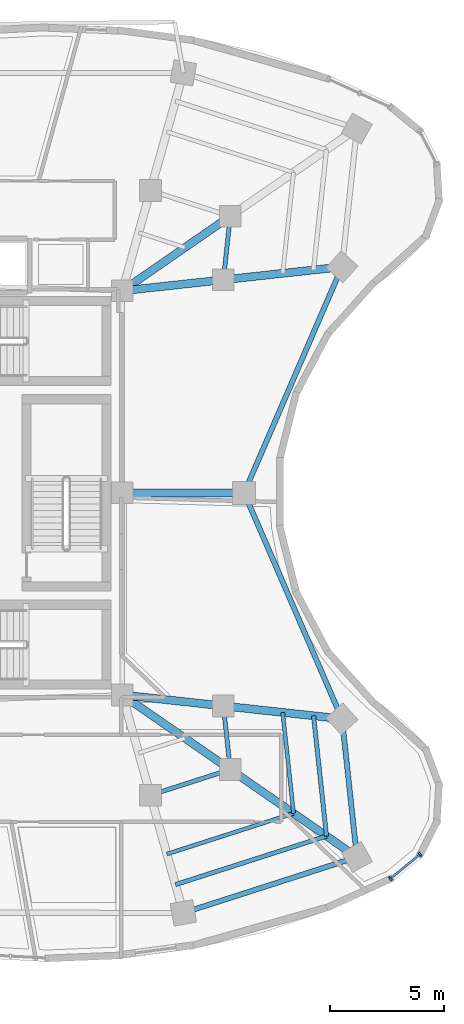
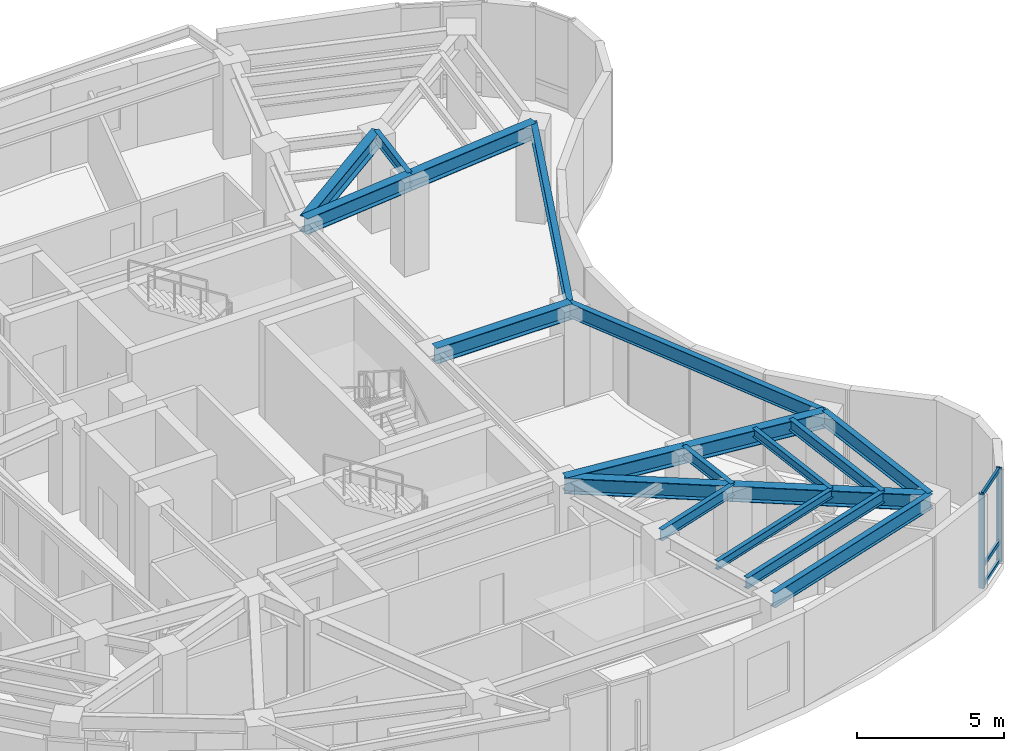
# One storey, part 4 of 13: 19 beams, 5 members, 1 element without a shape of its own.
"""IFC4 building model written with IfcOpenShell, lengths in metres."""

from ifc_helpers import new_model, si_unit, direction, frame, origin, origin_2d, place, context, subcontext, project, spatial, rectangle, i_section, extrude, material, layer, layer_set, material_profile, profile_set, type_object, element, aggregate, save


model = new_model("IFC4")

# Units and contexts
model_context = context("Model", 3, precision=1e-05, world=origin(), true_north=direction((0.0, 1.0)))
body_context = subcontext(model_context, "Body", "Model", "MODEL_VIEW")
ifc_project = project(units=[si_unit("LENGTHUNIT", "METRE"), si_unit("AREAUNIT", "SQUARE_METRE"), si_unit("VOLUMEUNIT", "CUBIC_METRE"), si_unit("PLANEANGLEUNIT", "RADIAN"), si_unit("MASSUNIT", "GRAM", prefix="KILO")], contexts=[model_context])

# Site, building, storey
site_placement = place(None, origin())
site = spatial("IfcSite", under=ifc_project, at=site_placement, CompositionType="ELEMENT")
building_placement = place(site_placement, origin())
building = spatial("IfcBuilding", under=site, at=building_placement, Name="Korentha Bioscience Tower", CompositionType="ELEMENT")
storey_placement = place(building_placement, frame((0.0, 0.0, 158.39990234375)))
storey = spatial("IfcBuildingStorey", under=building, at=storey_placement, Name="L36", CompositionType="ELEMENT", Elevation=158.39990234375)

# Beams
ifc_material_1 = material(Name="Steel S355", Category="steel")
ifc_material_profile_1 = material_profile(ifc_material_1, i_section(OverallWidth=0.18994140625, OverallDepth=0.45703125, WebThickness=0.009033203125, FlangeThickness=0.014404296875, at=origin_2d()), Name="Steel S355")
ifc_profile_set_1 = profile_set([ifc_material_profile_1], Name="Steel S355 (MB-460)")
beam_type_1 = type_object("IfcBeamType", Name="Mid-Ring Tie Girder W460x74", PredefinedType="BEAM", material=ifc_profile_set_1)
beam_1_placement = place(storey_placement, frame((38.77880859375, 13.7587890625, 3.671630859375), z_axis=(0.952000195343, 0.306097415976, 0.0), x_axis=(-0.306097415976, 0.952000195343, 0.0)))
element("IfcBeam", 1, at=beam_1_placement, inside=storey, type_object=beam_type_1, Name="L36 Mid-Ring Tie Girder 12", PredefinedType="BEAM", context=body_context, shape_type="SweptSolid", body=[
    extrude(i_section(OverallWidth=0.18994140625, OverallDepth=0.45703125, WebThickness=0.009033203125, FlangeThickness=0.014404296875, at=origin_2d()), origin(), (0.0, 0.0, 1.0), 3.672119140625),
])
for number, where, z_axis, x_axis, name in (
    (2, (42.274658203125, 14.8828125, 3.671630859375), (-0.107283940056, 0.99422842255, 0.0), (-0.99422842255, -0.107283940056, 0.0), "L36 Mid-Ring Tie Girder 13"),
    (3, (41.97412109375, 36.33203125, 3.671630859375), (0.107283940056, 0.99422842255, 0.0), (-0.99422842255, 0.107283940056, 0.0), "L36 Mid-Ring Tie Girder 16"),
):
    element("IfcBeam", number, at=place(storey_placement, frame(where, z_axis=z_axis, x_axis=x_axis)), inside=storey, type_object=beam_type_1, Name=name, PredefinedType="BEAM", context=body_context, shape_type="SweptSolid", body=[
        extrude(i_section(OverallWidth=0.18994140625, OverallDepth=0.45703125, WebThickness=0.009033203125, FlangeThickness=0.014404296875, at=origin_2d()), origin(), (0.0, 0.0, 1.0), 2.80126953125),
    ])

# Curtain wall, members
ifc_material_2 = material(Name="Thermally Broken Aluminium Frame", Category="aluminium")
ifc_layer = layer(ifc_material_2, 0.219970703125, Name="Thermally Broken Aluminium Frame")
ifc_layer_set = layer_set([ifc_layer], Name="Thermally Broken Aluminium Frame (CW-T1)")
curtain_wall_type = type_object("IfcCurtainWallType", Name="Standard Bioscience Lab Unitised Curtain Wall CW-T1", PredefinedType="USERDEFINED", material=ifc_layer_set)
curtain_wall_placement = place(storey_placement, origin())
curtain_wall = element("IfcCurtainWall", 4, at=curtain_wall_placement, inside=storey, type_object=curtain_wall_type, Name="L36 Curtain Wall 37", ObjectType="UNITISED", PredefinedType="USERDEFINED")
ifc_material_3 = material(Name="Anodised Aluminium 6063-T6", Category="aluminium")
ifc_material_profile_2 = material_profile(ifc_material_3, rectangle(XDim=0.090087890625, YDim=0.199951171875, at=origin_2d()), Name="Anodised Aluminium 6063-T6")
ifc_profile_set_2 = profile_set([ifc_material_profile_2], Name="Anodised Aluminium 6063-T6 (CW-MUL)")
member_type_1 = type_object("IfcMemberType", Name="Mullion RECT 90x200", PredefinedType="MULLION", material=ifc_profile_set_2)
member_1_placement = place(storey_placement, frame((49.28759765625, 10.105224609375, 0.0), z_axis=(0.0, 0.0, 1.0), x_axis=(0.77425646139, 0.632871971251, 0.0)))
member_1 = element("IfcMember", 5, at=member_1_placement, type_object=member_type_1, Name="CW-L36-37 Mullion 1", PredefinedType="MULLION", context=body_context, shape_type="SweptSolid", body=[
    extrude(rectangle(XDim=0.090087890625, YDim=0.199951171875, at=origin_2d()), origin(), (0.0, 0.0, 1.0), 3.900146484375),
])
member_2_placement = place(storey_placement, frame((50.58984375, 11.169677734375, 0.0), z_axis=(0.0, 0.0, 1.0), x_axis=(0.77425646139, 0.632871971251, 0.0)))
member_2 = element("IfcMember", 6, at=member_2_placement, type_object=member_type_1, Name="CW-L36-37 Mullion 2", PredefinedType="MULLION", context=body_context, shape_type="SweptSolid", body=[
    extrude(rectangle(XDim=0.090087890625, YDim=0.199951171875, at=origin_2d()), origin(), (0.0, 0.0, 1.0), 3.900146484375),
])

# Beams
ifc_material_profile_3 = material_profile(ifc_material_1, i_section(OverallWidth=0.22802734375, OverallDepth=0.60791015625, WebThickness=0.01123046875, FlangeThickness=0.017333984375, at=origin_2d()), Name="Steel S355")
ifc_profile_set_3 = profile_set([ifc_material_profile_3], Name="Steel S355 (SB-610)")
beam_type_2 = type_object("IfcBeamType", Name="Perimeter Ring Spandrel Girder W610x113", PredefinedType="SPANDREL", material=ifc_profile_set_3)
beam_2_placement = place(storey_placement, frame((40.22119140625, 8.60400390625, 3.59619140625), z_axis=(0.952008512555, 0.306071547228, 0.0), x_axis=(-0.306071547228, 0.952008512555, 0.0)))
element("IfcBeam", 7, at=beam_2_placement, inside=storey, type_object=beam_type_2, Name="L36 Perimeter Spandrel Girder 12", PredefinedType="SPANDREL", context=body_context, shape_type="SweptSolid", body=[
    extrude(i_section(OverallWidth=0.22802734375, OverallDepth=0.60791015625, WebThickness=0.01123046875, FlangeThickness=0.017333984375, at=origin_2d()), origin(), (0.0, 0.0, 1.0), 7.98291015625),
])
beam_3_placement = place(storey_placement, frame((47.821044921875, 11.04736328125, 3.59619140625), z_axis=(-0.10732012232, 0.994224517574, 0.0), x_axis=(-0.994224517574, -0.10732012232, 0.0)))
element("IfcBeam", 8, at=beam_3_placement, inside=storey, type_object=beam_type_2, Name="L36 Perimeter Spandrel Girder 13", PredefinedType="SPANDREL", context=body_context, shape_type="SweptSolid", body=[
    extrude(i_section(OverallWidth=0.22802734375, OverallDepth=0.60791015625, WebThickness=0.01123046875, FlangeThickness=0.017333984375, at=origin_2d()), origin(), (0.0, 0.0, 1.0), 6.08984375),
])
for number, where, z_axis, x_axis, name in (
    (9, (47.16748046875, 17.10205078125, 3.59619140625), (-0.397336815315, 0.917672847585, 0.0), (-0.917672847585, -0.397336815315, 0.0), "L36 Perimeter Spandrel Girder 14"),
    (10, (42.8818359375, 27.0, 3.59619140625), (0.397336815315, 0.917672847585, 0.0), (-0.917672847585, 0.397336815315, 0.0), "L36 Perimeter Spandrel Girder 15"),
):
    element("IfcBeam", number, at=place(storey_placement, frame(where, z_axis=z_axis, x_axis=x_axis)), inside=storey, type_object=beam_type_2, Name=name, PredefinedType="SPANDREL", context=body_context, shape_type="SweptSolid", body=[
        extrude(i_section(OverallWidth=0.22802734375, OverallDepth=0.60791015625, WebThickness=0.01123046875, FlangeThickness=0.017333984375, at=origin_2d()), origin(), (0.0, 0.0, 1.0), 10.785888671875),
    ])
ifc_material_profile_4 = material_profile(ifc_material_1, i_section(OverallWidth=0.18994140625, OverallDepth=0.45703125, WebThickness=0.009033203125, FlangeThickness=0.014404296875, at=origin_2d()), Name="Steel S355")
ifc_profile_set_4 = profile_set([ifc_material_profile_4], Name="Steel S355 (RB-460)")
beam_type_3 = type_object("IfcBeamType", Name="Radial Laboratory Beam W460x74", PredefinedType="BEAM", material=ifc_profile_set_4)
beam_4_placement = place(storey_placement, frame((39.875, 9.84130859375, 3.671630859375), z_axis=(0.952009183817, 0.306069459318, 0.0), x_axis=(-0.306069459318, 0.952009183817, 0.0)))
element("IfcBeam", 11, at=beam_4_placement, inside=storey, type_object=beam_type_3, Name="L36 Secondary Floor Beam JSTO-12", PredefinedType="BEAM", context=body_context, shape_type="SweptSolid", body=[
    extrude(i_section(OverallWidth=0.18994140625, OverallDepth=0.45703125, WebThickness=0.009033203125, FlangeThickness=0.014404296875, at=origin_2d()), origin(), (0.0, 0.0, 1.0), 6.948486328125),
])
beam_5_placement = place(storey_placement, frame((46.489990234375, 11.968017578125, 3.671630859375), z_axis=(-0.107321875607, 0.994224328316, 0.0), x_axis=(-0.994224328316, -0.107321875607, 0.0)))
element("IfcBeam", 12, at=beam_5_placement, inside=storey, type_object=beam_type_3, Name="L36 Secondary Floor Beam JSTO-13", PredefinedType="BEAM", context=body_context, shape_type="SweptSolid", body=[
    extrude(i_section(OverallWidth=0.18994140625, OverallDepth=0.45703125, WebThickness=0.009033203125, FlangeThickness=0.014404296875, at=origin_2d()), origin(), (0.0, 0.0, 1.0), 5.30029296875),
])
ifc_material_profile_5 = material_profile(ifc_material_1, i_section(OverallWidth=0.35009765625, OverallDepth=0.64990234375, WebThickness=0.01611328125, FlangeThickness=0.02490234375, at=origin_2d()), Name="Steel S355")
ifc_profile_set_5 = profile_set([ifc_material_profile_5], Name="Steel S355 (RB-650)")
beam_type_4 = type_object("IfcBeamType", Name="Radial Laboratory Girder CVS 650x208", PredefinedType="BEAM", material=ifc_profile_set_5)
for number, where, z_axis, x_axis, name in (
    (13, (37.550048828125, 35.85009765625, 3.5751953125), (0.822501145898, 0.568763452584, 0.0), (-0.568763452584, 0.822501145898, 0.0), "L36 Inner Radial Girder 01"),
    (14, (37.550048828125, 18.14990234375, 3.5751953125), (0.822501145898, -0.568763452584, 0.0), (0.568763452584, 0.822501145898, 0.0), "L36 Inner Radial Girder 13"),
):
    element("IfcBeam", number, at=place(storey_placement, frame(where, z_axis=z_axis, x_axis=x_axis)), inside=storey, type_object=beam_type_4, Name=name, PredefinedType="BEAM", context=body_context, shape_type="SweptSolid", body=[
        extrude(i_section(OverallWidth=0.35009765625, OverallDepth=0.64990234375, WebThickness=0.01611328125, FlangeThickness=0.02490234375, at=origin_2d()), origin(), (0.0, 0.0, 1.0), 5.744140625),
    ])
beam_6_placement = place(storey_placement, frame((42.274658203125, 14.8828125, 3.5751953125), z_axis=(0.822494455845, -0.568773127094, 0.0), x_axis=(0.568773127094, 0.822494455845, 0.0)))
element("IfcBeam", 15, at=beam_6_placement, inside=storey, type_object=beam_type_4, Name="L36 Outer Radial Girder 13", PredefinedType="BEAM", context=body_context, shape_type="SweptSolid", body=[
    extrude(i_section(OverallWidth=0.35009765625, OverallDepth=0.64990234375, WebThickness=0.01611328125, FlangeThickness=0.02490234375, at=origin_2d()), origin(), (0.0, 0.0, 1.0), 6.743408203125),
])
beam_7_placement = place(storey_placement, frame((37.550048828125, 18.14990234375, 3.5751953125), z_axis=(0.994118939953, -0.108293735857, 0.0), x_axis=(0.108293735857, 0.994118939953, 0.0)))
element("IfcBeam", 16, at=beam_7_placement, inside=storey, type_object=beam_type_4, Name="L36 Inner Radial Girder 14", PredefinedType="BEAM", context=body_context, shape_type="SweptSolid", body=[
    extrude(i_section(OverallWidth=0.35009765625, OverallDepth=0.64990234375, WebThickness=0.01611328125, FlangeThickness=0.02490234375, at=origin_2d()), origin(), (0.0, 0.0, 1.0), 4.4501953125),
])
beam_8_placement = place(storey_placement, frame((41.97412109375, 17.66796875, 3.5751953125), z_axis=(0.994115177281, -0.108328271011, 0.0), x_axis=(0.108328271011, 0.994115177281, 0.0)))
element("IfcBeam", 17, at=beam_8_placement, inside=storey, type_object=beam_type_4, Name="L36 Outer Radial Girder 14", PredefinedType="BEAM", context=body_context, shape_type="SweptSolid", body=[
    extrude(i_section(OverallWidth=0.35009765625, OverallDepth=0.64990234375, WebThickness=0.01611328125, FlangeThickness=0.02490234375, at=origin_2d()), origin(), (0.0, 0.0, 1.0), 5.22412109375),
])
beam_9_placement = place(storey_placement, frame((37.550048828125, 27.0, 3.5751953125), z_axis=(1.0, 0.0, 0.0), x_axis=(0.0, 1.0, 0.0)))
element("IfcBeam", 18, at=beam_9_placement, inside=storey, type_object=beam_type_4, Name="L36 Radial Girder 15", PredefinedType="BEAM", context=body_context, shape_type="SweptSolid", body=[
    extrude(i_section(OverallWidth=0.35009765625, OverallDepth=0.64990234375, WebThickness=0.01611328125, FlangeThickness=0.02490234375, at=origin_2d()), origin(), (0.0, 0.0, 1.0), 5.331787109375),
])
beam_10_placement = place(storey_placement, frame((37.550048828125, 35.85009765625, 3.5751953125), z_axis=(0.994118939953, 0.108293735857, 0.0), x_axis=(-0.108293735857, 0.994118939953, 0.0)))
element("IfcBeam", 19, at=beam_10_placement, inside=storey, type_object=beam_type_4, Name="L36 Inner Radial Girder 16", PredefinedType="BEAM", context=body_context, shape_type="SweptSolid", body=[
    extrude(i_section(OverallWidth=0.35009765625, OverallDepth=0.64990234375, WebThickness=0.01611328125, FlangeThickness=0.02490234375, at=origin_2d()), origin(), (0.0, 0.0, 1.0), 4.4501953125),
])
beam_11_placement = place(storey_placement, frame((41.97412109375, 36.33203125, 3.5751953125), z_axis=(0.994115177281, 0.108328271011, 0.0), x_axis=(-0.108328271011, 0.994115177281, 0.0)))
element("IfcBeam", 20, at=beam_11_placement, inside=storey, type_object=beam_type_4, Name="L36 Outer Radial Girder 16", PredefinedType="BEAM", context=body_context, shape_type="SweptSolid", body=[
    extrude(i_section(OverallWidth=0.35009765625, OverallDepth=0.64990234375, WebThickness=0.01611328125, FlangeThickness=0.02490234375, at=origin_2d()), origin(), (0.0, 0.0, 1.0), 5.22412109375),
])
ifc_material_profile_6 = material_profile(ifc_material_1, i_section(OverallWidth=0.1708984375, OverallDepth=0.35498046875, WebThickness=0.007080078125, FlangeThickness=0.01171875, at=origin_2d()), Name="Steel S355")
ifc_profile_set_6 = profile_set([ifc_material_profile_6], Name="Steel S355 (JB-360)")
beam_type_5 = type_object("IfcBeamType", Name="Secondary Laboratory Joist W360x51", PredefinedType="JOIST", material=ifc_profile_set_6)
beam_12_placement = place(storey_placement, frame((39.5, 11.181396484375, 3.72265625), z_axis=(0.952005892166, 0.306079697596, 0.0), x_axis=(-0.306079697596, 0.952005892166, 0.0)))
element("IfcBeam", 21, at=beam_12_placement, inside=storey, type_object=beam_type_5, Name="L36 Secondary Floor Beam JST-12", PredefinedType="JOIST", context=body_context, shape_type="SweptSolid", body=[
    extrude(i_section(OverallWidth=0.1708984375, OverallDepth=0.35498046875, WebThickness=0.007080078125, FlangeThickness=0.01171875, at=origin_2d()), origin(), (0.0, 0.0, 1.0), 5.82763671875),
])
beam_13_placement = place(storey_placement, frame((45.0478515625, 12.965087890625, 3.72265625), z_axis=(-0.107308722475, 0.994225748048, 0.0), x_axis=(-0.994225748048, -0.107308722475, 0.0)))
element("IfcBeam", 22, at=beam_13_placement, inside=storey, type_object=beam_type_5, Name="L36 Secondary Floor Beam JST-13", PredefinedType="JOIST", context=body_context, shape_type="SweptSolid", body=[
    extrude(i_section(OverallWidth=0.1708984375, OverallDepth=0.35498046875, WebThickness=0.007080078125, FlangeThickness=0.01171875, at=origin_2d()), origin(), (0.0, 0.0, 1.0), 4.445556640625),
])

# Member
ifc_material_profile_7 = material_profile(ifc_material_3, rectangle(XDim=0.090087890625, YDim=0.159912109375, at=origin_2d()), Name="Anodised Aluminium 6063-T6")
ifc_profile_set_7 = profile_set([ifc_material_profile_7], Name="Anodised Aluminium 6063-T6 (CW-TRN)")
member_type_2 = type_object("IfcMemberType", Name="Transom RECT 90x160", PredefinedType="USERDEFINED", material=ifc_profile_set_7)
member_3_placement = place(storey_placement, frame((49.322509765625, 10.1337890625, 0.045166015625), z_axis=(0.77427156069, 0.632853498297, 0.0), x_axis=(-0.632853498297, 0.77427156069, 0.0)))
member_3 = element("IfcMember", 23, at=member_3_placement, type_object=member_type_2, Name="CW-L36-37 Bay 1 Transom 1", ObjectType="TRANSOM", PredefinedType="USERDEFINED", context=body_context, shape_type="SweptSolid", body=[
    extrude(rectangle(XDim=0.090087890625, YDim=0.159912109375, at=origin_2d()), origin(), (0.0, 0.0, 1.0), 1.591796875),
])

member_4_placement = place(storey_placement, frame((49.322509765625, 10.1337890625, 0.85009765625), z_axis=(0.77427156069, 0.632853498297, 0.0), x_axis=(-0.632853498297, 0.77427156069, 0.0)))
member_4 = element("IfcMember", 24, at=member_4_placement, type_object=member_type_2, Name="CW-L36-37 Bay 1 Transom 2", ObjectType="TRANSOM", PredefinedType="USERDEFINED", context=body_context, shape_type="SweptSolid", body=[
    extrude(rectangle(XDim=0.090087890625, YDim=0.159912109375, at=origin_2d()), origin(), (0.0, 0.0, 1.0), 1.591796875),
])

member_5_placement = place(storey_placement, frame((49.322509765625, 10.1337890625, 3.85498046875), z_axis=(0.77427156069, 0.632853498297, 0.0), x_axis=(-0.632853498297, 0.77427156069, 0.0)))
member_5 = element("IfcMember", 25, at=member_5_placement, type_object=member_type_2, Name="CW-L36-37 Bay 1 Transom 3", ObjectType="TRANSOM", PredefinedType="USERDEFINED", context=body_context, shape_type="SweptSolid", body=[
    extrude(rectangle(XDim=0.090087890625, YDim=0.159912109375, at=origin_2d()), origin(), (0.0, 0.0, 1.0), 1.591796875),
])

aggregate(curtain_wall, [member_1, member_2, member_3, member_4, member_5])

save(model, "model.ifc")
